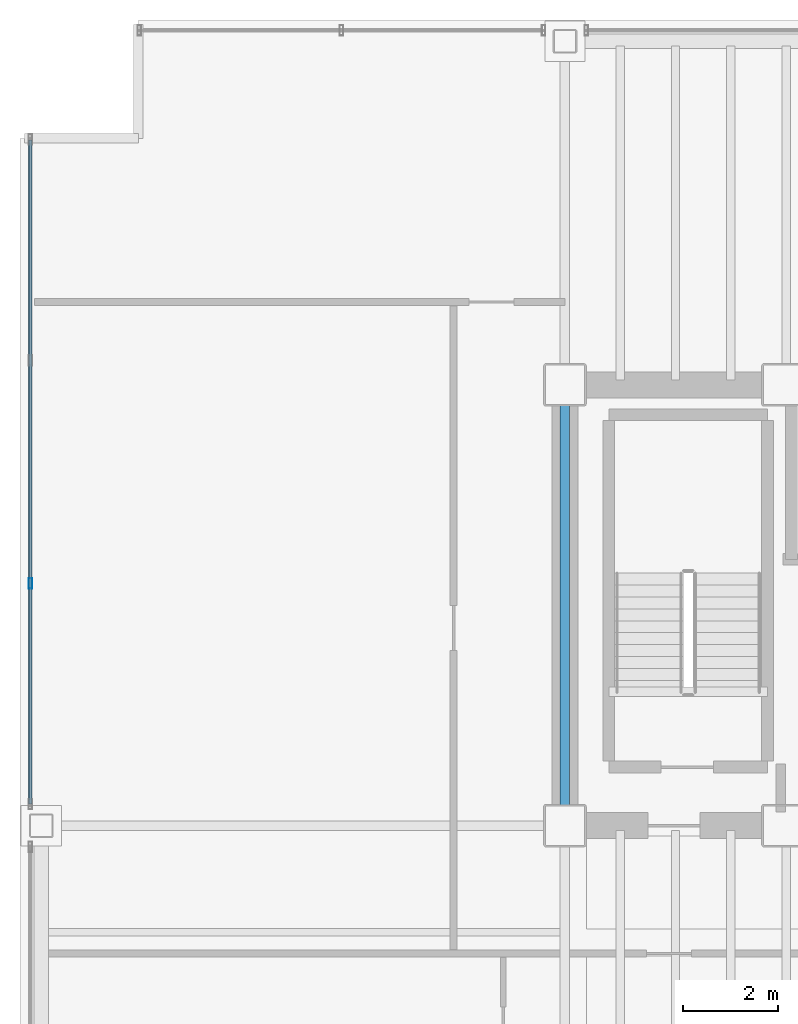
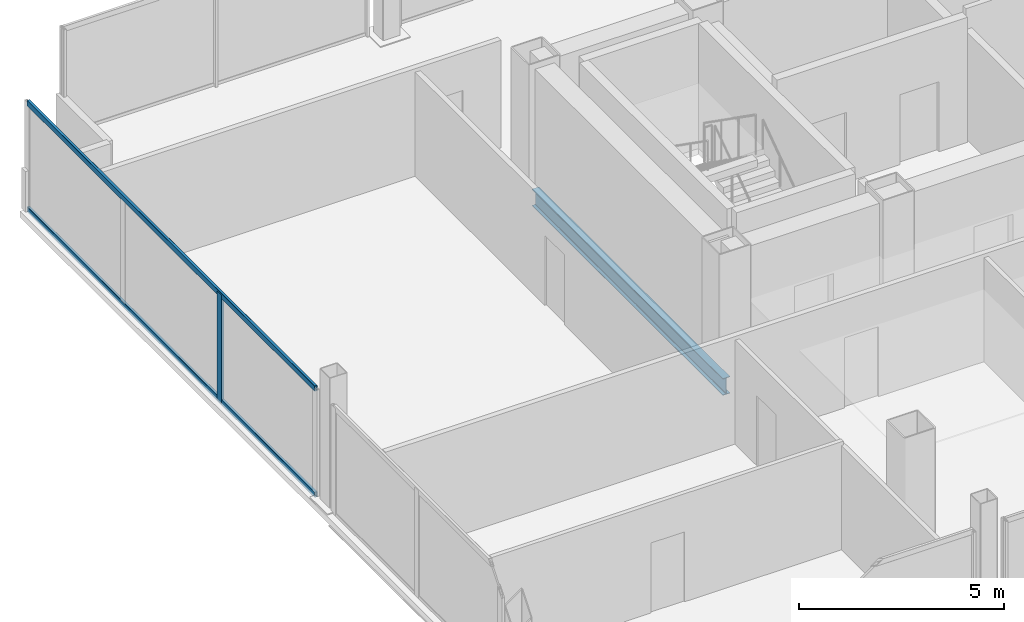
# One storey, part 6 of 18: 3 members, 1 beam, 1 element without a shape of its own.
"""IFC4 building model written with IfcOpenShell, lengths in metres."""

from ifc_helpers import new_model, si_unit, direction, frame, origin, origin_2d, place, context, subcontext, project, spatial, hollow_rectangle, i_section, extrude, material, material_profile, profile_set, type_object, element, aggregate, save


model = new_model("IFC4")

# Units and contexts
model_context = context("Model", 3, precision=1e-05, world=origin(), true_north=direction((0.0, 1.0)))
body_context = subcontext(model_context, "Body", "Model", "MODEL_VIEW")
ifc_project = project(units=[si_unit("LENGTHUNIT", "METRE"), si_unit("AREAUNIT", "SQUARE_METRE"), si_unit("VOLUMEUNIT", "CUBIC_METRE"), si_unit("PLANEANGLEUNIT", "RADIAN"), si_unit("MASSUNIT", "GRAM", prefix="KILO")], contexts=[model_context])

# Site, building, storey
site_placement = place(None, origin())
site = spatial("IfcSite", under=ifc_project, at=site_placement, CompositionType="ELEMENT")
building_placement = place(site_placement, origin())
building = spatial("IfcBuilding", under=site, at=building_placement, Name="Noeulbin Bourse Tower", CompositionType="ELEMENT")
storey_placement = place(building_placement, frame((0.0, 0.0, 161.699951171875)))
storey = spatial("IfcBuildingStorey", under=building, at=storey_placement, Name="L40", CompositionType="ELEMENT", Elevation=161.699951171875)

# Beam
ifc_material_1 = material(Name="Steel S355", Category="steel")
ifc_material_profile_1 = material_profile(ifc_material_1, i_section(OverallWidth=0.199951171875, OverallDepth=0.5, WebThickness=0.010009765625, FlangeThickness=0.01611328125, FilletRadius=0.02001953125, at=origin_2d()), Name="H-500x200x10x16", Category="LoadBearing")
ifc_profile_set_1 = profile_set([ifc_material_profile_1], Name="Steel S355")
beam_type = type_object("IfcBeamType", Name="BM-GRD-500", PredefinedType="USERDEFINED", material=ifc_profile_set_1)
beam_placement = place(storey_placement, frame((13.5, 29.0, -0.429931640625), z_axis=(0.0, 1.0, 0.0), x_axis=(-1.0, 0.0, 0.0)))
element("IfcBeam", 1, at=beam_placement, inside=storey, type_object=beam_type, Name="Tower Primary Girder NS L40-1.3", ObjectType="GIRDER", PredefinedType="USERDEFINED", context=body_context, shape_type="SweptSolid", body=[
    extrude(i_section(OverallWidth=0.199951171875, OverallDepth=0.5, WebThickness=0.010009765625, FlangeThickness=0.01611328125, FilletRadius=0.02001953125, at=origin_2d()), origin(), (0.0, 0.0, 1.0), 9.300048828125),
])

# Curtain wall, members
ifc_material_2 = material(Name="Dark Tinted Triple Glazing", Category="glass")
curtain_wall_type = type_object("IfcCurtainWallType", Name="CW-SYS-3", PredefinedType="NOTDEFINED", material=ifc_material_2)
curtain_wall_placement = place(storey_placement, origin())
curtain_wall = element("IfcCurtainWall", 2, at=curtain_wall_placement, inside=storey, type_object=curtain_wall_type, Name="Unitised Curtain Wall CW-L40-W-S2", PredefinedType="NOTDEFINED")
ifc_material_3 = material(Name="Anodised Aluminium 6063-T6", Category="aluminium")
ifc_material_profile_2 = material_profile(ifc_material_3, hollow_rectangle(XDim=0.074951171875, YDim=0.219970703125, WallThickness=0.0048828125, InnerFilletRadius=0.00244140625, OuterFilletRadius=0.0048828125, at=origin_2d()), Name="ALU-MULL-75x220x5", Category="LoadBearing")
ifc_profile_set_2 = profile_set([ifc_material_profile_2], Name="Anodised Aluminium 6063-T6")
member_type_1 = type_object("IfcMemberType", Name="CW-SYS-3-MUL", PredefinedType="MULLION", material=ifc_profile_set_2)
member_1_placement = place(storey_placement, frame((2.219970703125, 34.11328125, -0.02001953125), z_axis=(0.0, 0.0, 1.0), x_axis=(1.0, 0.0, 0.0)))
member_1 = element("IfcMember", 3, at=member_1_placement, type_object=member_type_1, Name="Curtain Wall Mullion CW-L40-W-S2-M01", PredefinedType="MULLION", context=body_context, shape_type="SweptSolid", body=[
    extrude(hollow_rectangle(XDim=0.074951171875, YDim=0.219970703125, WallThickness=0.0048828125, InnerFilletRadius=0.00244140625, OuterFilletRadius=0.0048828125, at=origin_2d()), origin(), (0.0, 0.0, 1.0), 3.219970703125),
])
ifc_material_profile_3 = material_profile(ifc_material_3, hollow_rectangle(XDim=0.074951171875, YDim=0.159912109375, WallThickness=0.0048828125, InnerFilletRadius=0.00244140625, OuterFilletRadius=0.0048828125, at=origin_2d()), Name="ALU-TRAN-75x160x5", Category="LoadBearing")
ifc_profile_set_3 = profile_set([ifc_material_profile_3], Name="Anodised Aluminium 6063-T6")
member_type_2 = type_object("IfcMemberType", Name="CW-SYS-3-TRN", PredefinedType="USERDEFINED", material=ifc_profile_set_3)
member_2_placement = place(storey_placement, frame((2.219970703125, 29.4599609375, 0.010009765625), z_axis=(0.0, 1.0, 0.0), x_axis=(-1.0, 0.0, 0.0)))
member_2 = element("IfcMember", 4, at=member_2_placement, type_object=member_type_2, Name="Curtain Wall Transom CW-L40-W-S2-T00", ObjectType="TRANSOM", PredefinedType="USERDEFINED", context=body_context, shape_type="SweptSolid", body=[
    extrude(hollow_rectangle(XDim=0.074951171875, YDim=0.159912109375, WallThickness=0.0048828125, InnerFilletRadius=0.00244140625, OuterFilletRadius=0.0048828125, at=origin_2d()), origin(), (0.0, 0.0, 1.0), 14.010009765625),
])
member_3_placement = place(storey_placement, frame((2.219970703125, 29.4599609375, 3.170166015625), z_axis=(0.0, 1.0, 0.0), x_axis=(-1.0, 0.0, 0.0)))
member_3 = element("IfcMember", 5, at=member_3_placement, type_object=member_type_2, Name="Curtain Wall Transom CW-L40-W-S2-T01", ObjectType="TRANSOM", PredefinedType="USERDEFINED", context=body_context, shape_type="SweptSolid", body=[
    extrude(hollow_rectangle(XDim=0.074951171875, YDim=0.159912109375, WallThickness=0.0048828125, InnerFilletRadius=0.00244140625, OuterFilletRadius=0.0048828125, at=origin_2d()), origin(), (0.0, 0.0, 1.0), 14.010009765625),
])
aggregate(curtain_wall, [member_1, member_2, member_3])

save(model, "model.ifc")
